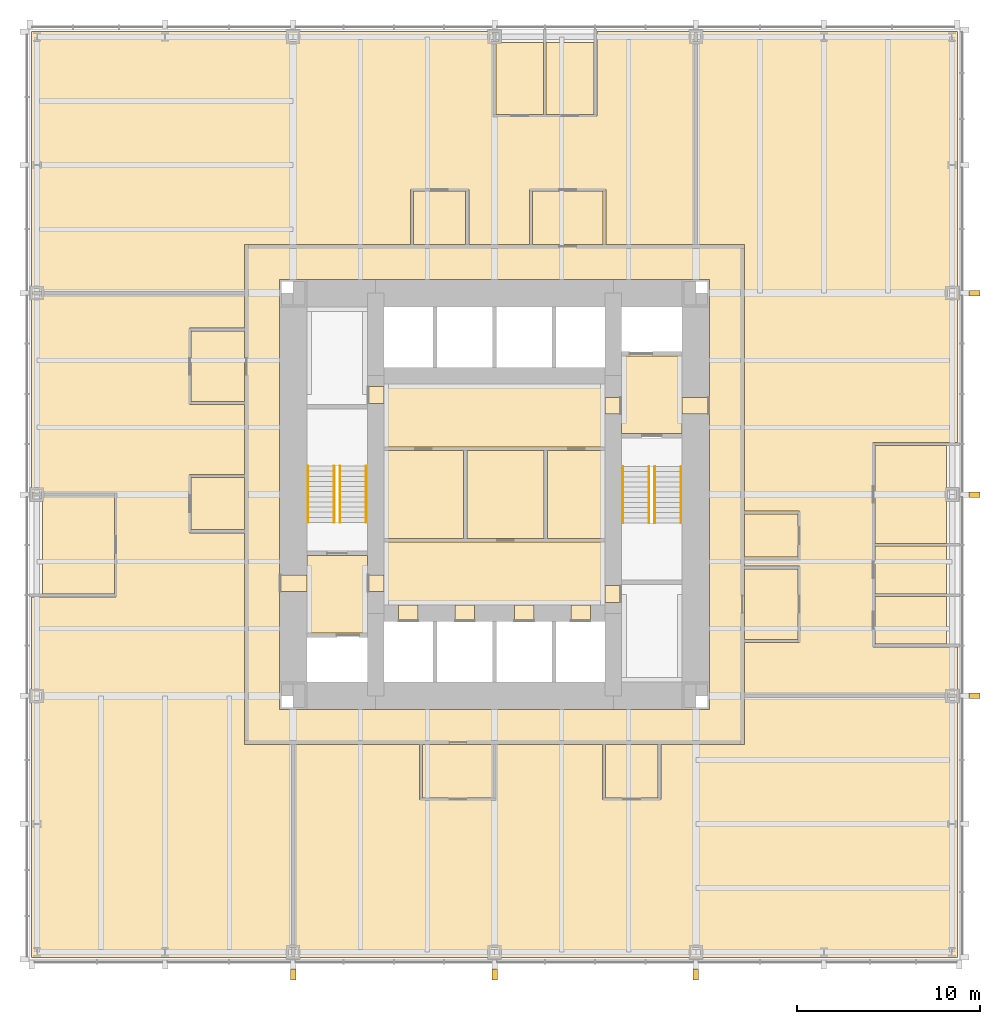
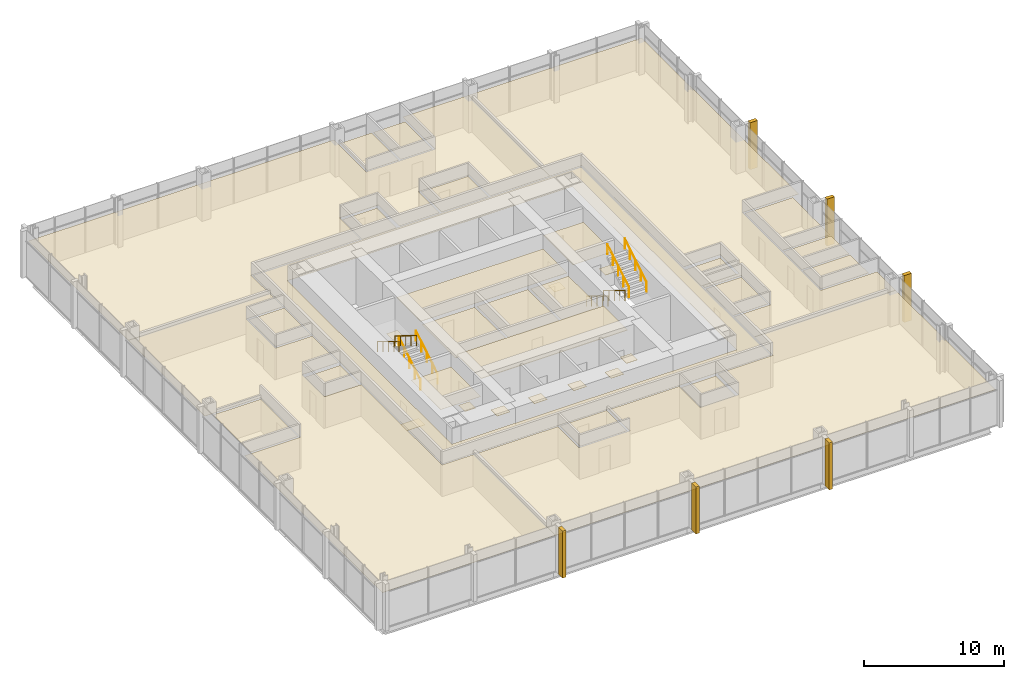
# One storey, part 12 of 12: 42 coverings, 8 railings.
"""IFC4 building model written with IfcOpenShell, lengths in metres."""

import ifcopenshell
import ifcopenshell.guid

model = None  # the IFC model being written
_history = None  # IfcOwnerHistory: only IFC2X3 demands one
_inside = {}  # id of a spatial element -> (the spatial element, [elements in it])
_under = {}  # id of a project, library or spatial element -> (it, [spatial elements below it])
_declared = {}  # id of a project -> (the project, [libraries it declares])
_typed = {}  # id of a type object -> (the type object, [elements of that type])
_made_of = {}  # id of a material, layer set ... -> (it, [elements and type objects made of it])


def new_model(schema):
    """Start an empty IFC model of exactly this schema.

    Asked for "IFC4X3", IfcOpenShell would pick the latest addendum, in which some entities
    have other attributes; the version numbers below select the first issue.
    IFC2X3 requires an IfcOwnerHistory on every rooted entity: one is made here for all.
    """
    global model, _history
    if schema == "IFC4X3":
        model = ifcopenshell.file(schema_version=(4, 3, 0, 0))
    else:
        model = ifcopenshell.file(schema=schema)
    _inside.clear()
    _under.clear()
    _declared.clear()
    _typed.clear()
    _made_of.clear()
    _history = None
    if model.schema == "IFC2X3":
        org = make("IfcOrganization", Name="unknown")
        user = make(
            "IfcPersonAndOrganization",
            ThePerson=make("IfcPerson", FamilyName="unknown"),
            TheOrganization=org,
        )
        app = make(
            "IfcApplication",
            ApplicationDeveloper=org,
            Version="unknown",
            ApplicationFullName="unknown",
            ApplicationIdentifier="unknown",
        )
        _history = make(
            "IfcOwnerHistory",
            OwningUser=user,
            OwningApplication=app,
            ChangeAction="ADDED",
            CreationDate=0,
        )
    return model


def make(cls, **values):
    """One entity of the class cls with the attributes given. An attribute that is None is left unset."""
    return model.create_entity(
        cls, **{name: value for name, value in values.items() if value is not None}
    )


def rooted(cls, **values):
    """An entity with a GlobalId (a new one), such as an element, a storey or a relation."""
    return make(cls, GlobalId=ifcopenshell.guid.new(), OwnerHistory=_history, **values)


def si_unit(unit_type, name, prefix=None):
    """IfcSIUnit, for example si_unit("LENGTHUNIT", "METRE", prefix="MILLI")."""
    return make("IfcSIUnit", UnitType=unit_type, Prefix=prefix, Name=name)


def assignment(units):
    """IfcUnitAssignment: the units of a project."""
    return None if units is None else make("IfcUnitAssignment", Units=units)


def point(xyz):
    """IfcCartesianPoint."""
    return None if xyz is None else make("IfcCartesianPoint", Coordinates=xyz)


def direction(xyz):
    """IfcDirection."""
    return None if xyz is None else make("IfcDirection", DirectionRatios=xyz)


def frame(location, z_axis=None, x_axis=None):
    """IfcAxis2Placement3D, a coordinate frame: its origin and axes. An axis left out is left unset."""
    return make(
        "IfcAxis2Placement3D",
        Location=point(location),
        Axis=direction(z_axis),
        RefDirection=direction(x_axis),
    )


def frame_2d(location, x_axis=None):
    """IfcAxis2Placement2D, a coordinate frame in the plane: its origin and x axis."""
    return make(
        "IfcAxis2Placement2D", Location=point(location), RefDirection=direction(x_axis)
    )


def origin():
    """The frame at (0, 0, 0) with its axes left unset."""
    return frame((0.0, 0.0, 0.0))


def origin_2d():
    """The frame at (0, 0) in the plane with its x axis left unset."""
    return frame_2d((0.0, 0.0))


def place(relative_to, where):
    """IfcLocalPlacement: puts the frame where relative to a parent placement (None: the world)."""
    return make(
        "IfcLocalPlacement", PlacementRelTo=relative_to, RelativePlacement=where
    )


def context(
    kind, dimensions, precision=None, world=None, true_north=None, identifier=None
):
    """IfcGeometricRepresentationContext, for example the 3D "Model" context."""
    return make(
        "IfcGeometricRepresentationContext",
        ContextIdentifier=identifier,
        ContextType=kind,
        CoordinateSpaceDimension=dimensions,
        Precision=precision,
        WorldCoordinateSystem=world,
        TrueNorth=true_north,
    )


def subcontext(parent, identifier, kind, view, scale=None):
    """IfcGeometricRepresentationSubContext, for example "Body" below "Model"."""
    return make(
        "IfcGeometricRepresentationSubContext",
        ContextIdentifier=identifier,
        ContextType=kind,
        ParentContext=parent,
        TargetScale=scale,
        TargetView=view,
    )


def project(units=None, contexts=None):
    """IfcProject with its units and contexts."""
    return rooted(
        "IfcProject",
        Name="project",
        RepresentationContexts=contexts,
        UnitsInContext=assignment(units),
    )


def spatial(cls, under=None, at=None, **own):
    """A site, building, storey or space (cls), placed at a placement, below another one or the project."""
    s = rooted(cls, ObjectPlacement=at, **own)
    if under is not None:
        _under.setdefault(under.id(), (under, []))[1].append(s)
    return s


def polyline(points):
    """IfcPolyline through the points."""
    return make("IfcPolyline", Points=[point(p) for p in points])


def profile(cls, at=None, kind="AREA", **sizes):
    """A parametric profile (cls). Its sizes go by their IFC names, for example OverallWidth=200.0."""
    return make(cls, ProfileType=kind, Position=at, **sizes)


def rectangle(**sizes):
    """IfcRectangleProfileDef."""
    return profile("IfcRectangleProfileDef", **sizes)


def circle(**sizes):
    """IfcCircleProfileDef."""
    return profile("IfcCircleProfileDef", **sizes)


def outline(outer, holes=None, kind="AREA"):
    """IfcArbitraryClosedProfileDef: a profile drawn as a closed curve; with holes, ...WithVoids."""
    if holes is None:
        return make("IfcArbitraryClosedProfileDef", ProfileType=kind, OuterCurve=outer)
    return make(
        "IfcArbitraryProfileDefWithVoids",
        ProfileType=kind,
        OuterCurve=outer,
        InnerCurves=holes,
    )


def extrude(swept, where, along, depth):
    """IfcExtrudedAreaSolid: the profile swept, set in the frame where, extruded along a direction by depth."""
    return make(
        "IfcExtrudedAreaSolid",
        SweptArea=swept,
        Position=where,
        ExtrudedDirection=direction(along),
        Depth=depth,
    )


def shape(context_of_items, identifier, shape_type, items):
    """IfcShapeRepresentation: the items that make up one representation, for example the "Body"."""
    return make(
        "IfcShapeRepresentation",
        ContextOfItems=context_of_items,
        RepresentationIdentifier=identifier,
        RepresentationType=shape_type,
        Items=items,
    )


def material(Name=None, Category=None):
    """IfcMaterial."""
    return make("IfcMaterial", Name=Name, Category=Category)


def layer(
    of_material, thickness, ventilated=None, Name=None, Category=None, Priority=None
):
    """IfcMaterialLayer: one layer of a wall or slab, of a material (None: an air gap)."""
    return make(
        "IfcMaterialLayer",
        Material=of_material,
        LayerThickness=thickness,
        IsVentilated=ventilated,
        Name=Name,
        Category=Category,
        Priority=Priority,
    )


def layer_set(layers, Name=None):
    """IfcMaterialLayerSet."""
    return make("IfcMaterialLayerSet", MaterialLayers=layers, LayerSetName=Name)


def made_of(thing, what):
    """Note that an element or type object is made of a material, layer set ...; save() writes the relation."""
    if what is not None:
        _made_of.setdefault(what.id(), (what, []))[1].append(thing)
    return thing


def type_object(cls, material=None, **own):
    """A type object (cls), such as IfcWallType, which elements share."""
    return made_of(rooted(cls, **own), material)


def element(
    cls,
    number,
    at=None,
    inside=None,
    cuts=None,
    type_object=None,
    material=None,
    context=None,
    identifier="Body",
    shape_type=None,
    held_by="IfcProductDefinitionShape",
    body=None,
    shapes=None,
    **own,
):
    """One element of the class cls, such as IfcWall. Its Tag is "e" and its number.

    at: its placement. inside: the storey or other place that contains it. cuts: it is an
    opening in that element (IfcRelVoidsElement). A single representation is given by context,
    identifier, shape_type and body (its items); several are given by shapes. held_by: the class
    of the entity that holds the representations. save() writes the other relations.
    """
    e = rooted(cls, Tag="e%d" % number, ObjectPlacement=at, **own)
    if body is not None:
        shapes = [shape(context, identifier, shape_type, body)]
    if shapes is not None:
        e.Representation = make(held_by, Representations=shapes)
    if inside is not None:
        _inside.setdefault(inside.id(), (inside, []))[1].append(e)
    if cuts is not None:
        rooted(
            "IfcRelVoidsElement", RelatingBuildingElement=cuts, RelatedOpeningElement=e
        )
    if type_object is not None:
        _typed.setdefault(type_object.id(), (type_object, []))[1].append(e)
    return made_of(e, material)


def aggregate(whole, parts):
    """IfcRelAggregates: a whole, such as a stair, and the parts it consists of."""
    return rooted("IfcRelAggregates", RelatingObject=whole, RelatedObjects=parts)


def save(model, path):
    """Write the relations noted so far, then the file.

    IfcRelAggregates (storeys below a building ...), IfcRelContainedInSpatialStructure (elements
    in a storey), IfcRelDefinesByType, IfcRelAssociatesMaterial and IfcRelDeclares: one each for
    every whole, place, type object, material and project.
    """
    for whole, parts in _under.values():
        aggregate(whole, parts)
    for where, things in _inside.values():
        rooted(
            "IfcRelContainedInSpatialStructure",
            RelatedElements=things,
            RelatingStructure=where,
        )
    for kind, things in _typed.values():
        rooted("IfcRelDefinesByType", RelatedObjects=things, RelatingType=kind)
    for what, things in _made_of.values():
        rooted("IfcRelAssociatesMaterial", RelatedObjects=things, RelatingMaterial=what)
    for by, libraries in _declared.values():
        rooted("IfcRelDeclares", RelatingContext=by, RelatedDefinitions=libraries)
    model.write(path)


model = new_model("IFC4")

# Units and contexts
model_context = context("Model", 3, precision=1e-05, world=origin(), true_north=direction((0.0, 1.0)))
body_context = subcontext(model_context, "Body", "Model", "MODEL_VIEW")
ifc_project = project(units=[si_unit("LENGTHUNIT", "METRE"), si_unit("AREAUNIT", "SQUARE_METRE"), si_unit("VOLUMEUNIT", "CUBIC_METRE"), si_unit("PLANEANGLEUNIT", "RADIAN"), si_unit("MASSUNIT", "GRAM", prefix="KILO")], contexts=[model_context])

# Site, building, storey
site_placement = place(None, origin())
site = spatial("IfcSite", under=ifc_project, at=site_placement, CompositionType="ELEMENT")
building_placement = place(site_placement, origin())
building = spatial("IfcBuilding", under=site, at=building_placement, Name="Trevanion Tower", CompositionType="ELEMENT")
storey_placement = place(building_placement, frame((0.0, 0.0, 24.199951171875)))
storey = spatial("IfcBuildingStorey", under=building, at=storey_placement, Name="L05", CompositionType="ELEMENT", Elevation=24.199951171875)

# Coverings
ifc_material_1 = material(Name="Fibrous plaster coffers on suspended steel grid", Category="steel")
ifc_layer_1 = layer(ifc_material_1, 0.050048828125)
ifc_layer_set_1 = layer_set([ifc_layer_1], Name="CL1 coffered fibrous plaster ceiling 50")
covering_type_1 = type_object("IfcCoveringType", Name="CL1 coffered fibrous plaster ceiling 50", PredefinedType="CEILING", material=ifc_layer_set_1)
covering_1_placement = place(storey_placement, frame((0.0, 0.0, 3.0)))
element("IfcCovering", 1, at=covering_1_placement, inside=storey, type_object=covering_type_1, Name="CL1 L05-LBS", PredefinedType="CEILING", context=body_context, shape_type="SweptSolid", body=[
    extrude(outline(polyline([(6.050048828125, -6.050048828125), (6.050048828125, -2.60009765625), (-6.050048828125, -2.60009765625), (-6.050048828125, -6.050048828125), (6.050048828125, -6.050048828125)])), origin(), (0.0, 0.0, 1.0), 0.050048828125),
])
ifc_material_2 = material(Name="Mineral fibre acoustic tiles in exposed grid", Category="mineral fibre")
ifc_layer_2 = layer(ifc_material_2, 0.02001953125)
ifc_layer_set_2 = layer_set([ifc_layer_2], Name="CL2 acoustic tile ceiling 20")
covering_type_2 = type_object("IfcCoveringType", Name="CL2 acoustic tile ceiling 20", PredefinedType="CEILING", material=ifc_layer_set_2)
covering_2_placement = place(storey_placement, frame((0.0, 0.0, 2.75)))
element("IfcCovering", 2, at=covering_2_placement, inside=storey, type_object=covering_type_2, Name="CL2 L05-LBN", PredefinedType="CEILING", context=body_context, shape_type="SweptSolid", body=[
    extrude(outline(polyline([(6.050048828125, 2.60009765625), (6.050048828125, 6.050048828125), (-6.050048828125, 6.050048828125), (-6.050048828125, 2.60009765625), (6.050048828125, 2.60009765625)])), origin(), (0.0, 0.0, 1.0), 0.02001953125),
])
covering_3_placement = place(storey_placement, frame((0.0, 0.0, 2.75)))
element("IfcCovering", 3, at=covering_3_placement, inside=storey, type_object=covering_type_2, Name="CL2 L05-CO", PredefinedType="CEILING", context=body_context, shape_type="SweptSolid", body=[
    extrude(outline(polyline([(-13.550048828125, 13.550048828125), (13.550048828125, 13.550048828125), (13.550048828125, -13.550048828125), (-13.550048828125, -13.550048828125), (-13.550048828125, 13.550048828125)]), holes=[polyline([(-11.75, 11.75), (-11.75, -11.75), (11.75, -11.75), (11.75, 11.75), (-11.75, 11.75)])]), origin(), (0.0, 0.0, 1.0), 0.02001953125),
])
covering_4_placement = place(storey_placement, frame((0.0, 0.0, 2.75)))
element("IfcCovering", 4, at=covering_4_placement, inside=storey, type_object=covering_type_2, Name="CL2 L05-OF", PredefinedType="CEILING", context=body_context, shape_type="SweptSolid", body=[
    extrude(outline(polyline([(20.77490234375, -8.175048828125), (20.77490234375, -5.574951171875), (24.699951171875, -5.574951171875), (24.699951171875, -8.175048828125), (20.77490234375, -8.175048828125)])), origin(), (0.0, 0.0, 1.0), 0.02001953125),
])
covering_5_placement = place(storey_placement, frame((0.0, 0.0, 2.75)))
element("IfcCovering", 5, at=covering_5_placement, inside=storey, type_object=covering_type_2, Name="CL2 L05-OF2", PredefinedType="CEILING", context=body_context, shape_type="SweptSolid", body=[
    extrude(outline(polyline([(20.77490234375, -5.425048828125), (20.77490234375, -2.824951171875), (24.699951171875, -2.824951171875), (24.699951171875, -5.425048828125), (20.77490234375, -5.425048828125)])), origin(), (0.0, 0.0, 1.0), 0.02001953125),
])
covering_6_placement = place(storey_placement, frame((0.0, 0.0, 2.75)))
element("IfcCovering", 6, at=covering_6_placement, inside=storey, type_object=covering_type_2, Name="CL2 L05-MR", PredefinedType="CEILING", context=body_context, shape_type="SweptSolid", body=[
    extrude(outline(polyline([(20.77490234375, -2.675048828125), (20.77490234375, 2.675048828125), (24.699951171875, 2.675048828125), (24.699951171875, -2.675048828125), (20.77490234375, -2.675048828125)])), origin(), (0.0, 0.0, 1.0), 0.02001953125),
])
covering_7_placement = place(storey_placement, frame((0.0, 0.0, 2.75)))
element("IfcCovering", 7, at=covering_7_placement, inside=storey, type_object=covering_type_2, Name="CL2 L05-OF3", PredefinedType="CEILING", context=body_context, shape_type="SweptSolid", body=[
    extrude(outline(polyline([(5.425048828125, 20.77490234375), (2.824951171875, 20.77490234375), (2.824951171875, 24.699951171875), (5.425048828125, 24.699951171875), (5.425048828125, 20.77490234375)])), origin(), (0.0, 0.0, 1.0), 0.02001953125),
])
covering_8_placement = place(storey_placement, frame((0.0, 0.0, 2.75)))
element("IfcCovering", 8, at=covering_8_placement, inside=storey, type_object=covering_type_2, Name="CL2 L05-OF4", PredefinedType="CEILING", context=body_context, shape_type="SweptSolid", body=[
    extrude(outline(polyline([(2.675048828125, 20.77490234375), (0.074951171875, 20.77490234375), (0.074951171875, 24.699951171875), (2.675048828125, 24.699951171875), (2.675048828125, 20.77490234375)])), origin(), (0.0, 0.0, 1.0), 0.02001953125),
])
covering_9_placement = place(storey_placement, frame((0.0, 0.0, 2.75)))
element("IfcCovering", 9, at=covering_9_placement, inside=storey, type_object=covering_type_2, Name="CL2 L05-MR2", PredefinedType="CEILING", context=body_context, shape_type="SweptSolid", body=[
    extrude(outline(polyline([(-20.77490234375, -0.074951171875), (-20.77490234375, -5.425048828125), (-24.699951171875, -5.425048828125), (-24.699951171875, -0.074951171875), (-20.77490234375, -0.074951171875)])), origin(), (0.0, 0.0, 1.0), 0.02001953125),
])
covering_10_placement = place(storey_placement, frame((0.0, 0.0, 2.75)))
element("IfcCovering", 10, at=covering_10_placement, inside=storey, type_object=covering_type_2, Name="CL2 L05-RC", PredefinedType="CEILING", context=body_context, shape_type="SweptSolid", body=[
    extrude(outline(polyline([(13.64990234375, -7.925048828125), (13.64990234375, -4.074951171875), (16.574951171875, -4.074951171875), (16.574951171875, -7.925048828125), (13.64990234375, -7.925048828125)])), origin(), (0.0, 0.0, 1.0), 0.02001953125),
])
covering_11_placement = place(storey_placement, frame((0.0, 0.0, 2.75)))
element("IfcCovering", 11, at=covering_11_placement, inside=storey, type_object=covering_type_2, Name="CL2 L05-RC2", PredefinedType="CEILING", context=body_context, shape_type="SweptSolid", body=[
    extrude(outline(polyline([(5.925048828125, 13.64990234375), (2.074951171875, 13.64990234375), (2.074951171875, 16.574951171875), (5.925048828125, 16.574951171875), (5.925048828125, 13.64990234375)])), origin(), (0.0, 0.0, 1.0), 0.02001953125),
])
covering_12_placement = place(storey_placement, frame((0.0, 0.0, 2.75)))
element("IfcCovering", 12, at=covering_12_placement, inside=storey, type_object=covering_type_2, Name="CL2 L05-RC3", PredefinedType="CEILING", context=body_context, shape_type="SweptSolid", body=[
    extrude(outline(polyline([(-13.64990234375, 8.925048828125), (-13.64990234375, 5.074951171875), (-16.574951171875, 5.074951171875), (-16.574951171875, 8.925048828125), (-13.64990234375, 8.925048828125)])), origin(), (0.0, 0.0, 1.0), 0.02001953125),
])
covering_13_placement = place(storey_placement, frame((0.0, 0.0, 2.75)))
element("IfcCovering", 13, at=covering_13_placement, inside=storey, type_object=covering_type_2, Name="CL2 L05-RC4", PredefinedType="CEILING", context=body_context, shape_type="SweptSolid", body=[
    extrude(outline(polyline([(-3.925048828125, -13.64990234375), (-0.074951171875, -13.64990234375), (-0.074951171875, -16.574951171875), (-3.925048828125, -16.574951171875), (-3.925048828125, -13.64990234375)])), origin(), (0.0, 0.0, 1.0), 0.02001953125),
])
covering_14_placement = place(storey_placement, frame((0.0, 0.0, 2.75)))
element("IfcCovering", 14, at=covering_14_placement, inside=storey, type_object=covering_type_2, Name="CL2 L05-OP", PredefinedType="CEILING", context=body_context, shape_type="SweptSolid", body=[
    extrude(outline(polyline([(13.64990234375, -8.094970703125), (16.669921875, -8.094970703125), (16.669921875, -3.905029296875), (13.64990234375, -3.905029296875), (13.64990234375, -3.594970703125), (16.669921875, -3.594970703125), (16.669921875, -0.905029296875), (13.64990234375, -0.905029296875), (13.64990234375, 13.64990234375), (11.0, 13.64990234375), (11.0, 25.300048828125), (25.300048828125, 25.300048828125), (25.300048828125, 2.844970703125), (20.679931640625, 2.844970703125), (20.679931640625, -8.344970703125), (25.300048828125, -8.344970703125), (25.300048828125, -11.0), (13.64990234375, -11.0), (13.64990234375, -8.094970703125)])), origin(), (0.0, 0.0, 1.0), 0.02001953125),
])
covering_15_placement = place(storey_placement, frame((0.0, 0.0, 2.75)))
element("IfcCovering", 15, at=covering_15_placement, inside=storey, type_object=covering_type_2, Name="CL2 L05-OP2", PredefinedType="CEILING", context=body_context, shape_type="SweptSolid", body=[
    extrude(outline(polyline([(6.094970703125, 13.64990234375), (6.094970703125, 16.669921875), (1.905029296875, 16.669921875), (1.905029296875, 13.64990234375), (-1.405029296875, 13.64990234375), (-1.405029296875, 16.669921875), (-4.594970703125, 16.669921875), (-4.594970703125, 13.64990234375), (-13.64990234375, 13.64990234375), (-13.64990234375, 11.0), (-25.300048828125, 11.0), (-25.300048828125, 25.300048828125), (-0.094970703125, 25.300048828125), (-0.094970703125, 20.679931640625), (5.594970703125, 20.679931640625), (5.594970703125, 25.300048828125), (11.0, 25.300048828125), (11.0, 13.64990234375), (6.094970703125, 13.64990234375)])), origin(), (0.0, 0.0, 1.0), 0.02001953125),
])
covering_16_placement = place(storey_placement, frame((0.0, 0.0, 2.75)))
element("IfcCovering", 16, at=covering_16_placement, inside=storey, type_object=covering_type_2, Name="CL2 L05-OP3", PredefinedType="CEILING", context=body_context, shape_type="SweptSolid", body=[
    extrude(outline(polyline([(-13.64990234375, 9.094970703125), (-16.669921875, 9.094970703125), (-16.669921875, 4.905029296875), (-13.64990234375, 4.905029296875), (-13.64990234375, 1.094970703125), (-16.669921875, 1.094970703125), (-16.669921875, -2.094970703125), (-13.64990234375, -2.094970703125), (-13.64990234375, -13.64990234375), (-11.0, -13.64990234375), (-11.0, -25.300048828125), (-25.300048828125, -25.300048828125), (-25.300048828125, -5.594970703125), (-20.679931640625, -5.594970703125), (-20.679931640625, 0.094970703125), (-25.300048828125, 0.094970703125), (-25.300048828125, 11.0), (-13.64990234375, 11.0), (-13.64990234375, 9.094970703125)])), origin(), (0.0, 0.0, 1.0), 0.02001953125),
])
covering_17_placement = place(storey_placement, frame((0.0, 0.0, 2.75)))
element("IfcCovering", 17, at=covering_17_placement, inside=storey, type_object=covering_type_2, Name="CL2 L05-OP4", PredefinedType="CEILING", context=body_context, shape_type="SweptSolid", body=[
    extrude(outline(polyline([(-4.094970703125, -13.64990234375), (-4.094970703125, -16.669921875), (0.094970703125, -16.669921875), (0.094970703125, -13.64990234375), (5.905029296875, -13.64990234375), (5.905029296875, -16.669921875), (9.094970703125, -16.669921875), (9.094970703125, -13.64990234375), (13.64990234375, -13.64990234375), (13.64990234375, -11.0), (25.300048828125, -11.0), (25.300048828125, -25.300048828125), (-11.0, -25.300048828125), (-11.0, -13.64990234375), (-4.094970703125, -13.64990234375)])), origin(), (0.0, 0.0, 1.0), 0.02001953125),
])
ifc_material_3 = material(Name="Gypsum plasterboard on suspended metal furring", Category="gypsum")
ifc_layer_3 = layer(ifc_material_3, 0.012939453125)
ifc_layer_set_3 = layer_set([ifc_layer_3], Name="CL3 plasterboard ceiling 13")
covering_type_3 = type_object("IfcCoveringType", Name="CL3 plasterboard ceiling 13", PredefinedType="CEILING", material=ifc_layer_set_3)
covering_18_placement = place(storey_placement, frame((0.0, 0.0, 2.699951171875)))
element("IfcCovering", 18, at=covering_18_placement, inside=storey, type_object=covering_type_3, Name="CL3 L05-FV1", PredefinedType="CEILING", context=body_context, shape_type="SweptSolid", body=[
    extrude(outline(polyline([(10.25, 3.324951171875), (10.25, 7.574951171875), (6.949951171875, 7.574951171875), (6.949951171875, 3.324951171875), (10.25, 3.324951171875)])), origin(), (0.0, 0.0, 1.0), 0.01318359375),
])
covering_19_placement = place(storey_placement, frame((0.0, 0.0, 2.699951171875)))
element("IfcCovering", 19, at=covering_19_placement, inside=storey, type_object=covering_type_3, Name="CL3 L05-FV2", PredefinedType="CEILING", context=body_context, shape_type="SweptSolid", body=[
    extrude(outline(polyline([(-10.25, -3.324951171875), (-10.25, -7.574951171875), (-6.949951171875, -7.574951171875), (-6.949951171875, -3.324951171875), (-10.25, -3.324951171875)])), origin(), (0.0, 0.0, 1.0), 0.01318359375),
])
ifc_material_4 = material(Name="Moisture-resistant gypsum board on suspended metal furring", Category="gypsum")
ifc_layer_4 = layer(ifc_material_4, 0.01611328125)
ifc_layer_set_4 = layer_set([ifc_layer_4], Name="CL4 moisture-resistant board ceiling 16")
covering_type_4 = type_object("IfcCoveringType", Name="CL4 moisture-resistant board ceiling 16", PredefinedType="CEILING", material=ifc_layer_set_4)
covering_20_placement = place(storey_placement, frame((0.0, 0.0, 2.60009765625)))
element("IfcCovering", 20, at=covering_20_placement, inside=storey, type_object=covering_type_4, Name="CL4 L05-WCF", PredefinedType="CEILING", context=body_context, shape_type="SweptSolid", body=[
    extrude(outline(polyline([(-1.699951171875, -2.39990234375), (-1.699951171875, 2.39990234375), (-6.050048828125, 2.39990234375), (-6.050048828125, -2.39990234375), (-1.699951171875, -2.39990234375)])), origin(), (0.0, 0.0, 1.0), 0.015869140625),
])
covering_21_placement = place(storey_placement, frame((0.0, 0.0, 2.60009765625)))
element("IfcCovering", 21, at=covering_21_placement, inside=storey, type_object=covering_type_4, Name="CL4 L05-WCM", PredefinedType="CEILING", context=body_context, shape_type="SweptSolid", body=[
    extrude(outline(polyline([(2.699951171875, -2.39990234375), (2.699951171875, 2.39990234375), (-1.5, 2.39990234375), (-1.5, -2.39990234375), (2.699951171875, -2.39990234375)])), origin(), (0.0, 0.0, 1.0), 0.015869140625),
])
covering_22_placement = place(storey_placement, frame((0.0, 0.0, 2.60009765625)))
element("IfcCovering", 22, at=covering_22_placement, inside=storey, type_object=covering_type_4, Name="CL4 L05-WCA", PredefinedType="CEILING", context=body_context, shape_type="SweptSolid", body=[
    extrude(outline(polyline([(6.050048828125, -2.39990234375), (6.050048828125, 2.39990234375), (2.89990234375, 2.39990234375), (2.89990234375, -2.39990234375), (6.050048828125, -2.39990234375)])), origin(), (0.0, 0.0, 1.0), 0.015869140625),
])
covering_23_placement = place(storey_placement, frame((0.0, 0.0, 2.60009765625)))
element("IfcCovering", 23, at=covering_23_placement, inside=storey, type_object=covering_type_4, Name="CL4 L05-PA", PredefinedType="CEILING", context=body_context, shape_type="SweptSolid", body=[
    extrude(outline(polyline([(13.64990234375, -3.425048828125), (13.64990234375, -1.074951171875), (16.574951171875, -1.074951171875), (16.574951171875, -3.425048828125), (13.64990234375, -3.425048828125)])), origin(), (0.0, 0.0, 1.0), 0.015869140625),
])
covering_24_placement = place(storey_placement, frame((0.0, 0.0, 2.60009765625)))
element("IfcCovering", 24, at=covering_24_placement, inside=storey, type_object=covering_type_4, Name="CL4 L05-PA2", PredefinedType="CEILING", context=body_context, shape_type="SweptSolid", body=[
    extrude(outline(polyline([(-1.574951171875, 13.64990234375), (-4.425048828125, 13.64990234375), (-4.425048828125, 16.574951171875), (-1.574951171875, 16.574951171875), (-1.574951171875, 13.64990234375)])), origin(), (0.0, 0.0, 1.0), 0.015869140625),
])
covering_25_placement = place(storey_placement, frame((0.0, 0.0, 2.60009765625)))
element("IfcCovering", 25, at=covering_25_placement, inside=storey, type_object=covering_type_4, Name="CL4 L05-PA3", PredefinedType="CEILING", context=body_context, shape_type="SweptSolid", body=[
    extrude(outline(polyline([(-13.64990234375, 0.925048828125), (-13.64990234375, -1.925048828125), (-16.574951171875, -1.925048828125), (-16.574951171875, 0.925048828125), (-13.64990234375, 0.925048828125)])), origin(), (0.0, 0.0, 1.0), 0.015869140625),
])
covering_26_placement = place(storey_placement, frame((0.0, 0.0, 2.60009765625)))
element("IfcCovering", 26, at=covering_26_placement, inside=storey, type_object=covering_type_4, Name="CL4 L05-PA4", PredefinedType="CEILING", context=body_context, shape_type="SweptSolid", body=[
    extrude(outline(polyline([(6.074951171875, -13.64990234375), (8.925048828125, -13.64990234375), (8.925048828125, -16.574951171875), (6.074951171875, -16.574951171875), (6.074951171875, -13.64990234375)])), origin(), (0.0, 0.0, 1.0), 0.015869140625),
])
ifc_material_5 = material(Name="Cast bronze fin on aluminium carrier", Category="aluminium")
covering_type_5 = type_object("IfcCoveringType", Name="F1 bronze fin", PredefinedType="CLADDING", material=ifc_material_5)
for number, where, z_axis, x_axis, name in (
    (27, (26.22509765625, -11.0, -0.18994140625), (0.0, 0.0, 1.0), (0.0, 1.0, 0.0), "F1 L05 east -11.0"),
    (28, (26.22509765625, 0.0, -0.18994140625), (0.0, 0.0, 1.0), (0.0, 1.0, 0.0), "F1 L05 east +0.0"),
    (29, (26.22509765625, 11.0, -0.18994140625), (0.0, 0.0, 1.0), (0.0, 1.0, 0.0), "F1 L05 east +11.0"),
    (30, (-11.0, -26.22509765625, -0.18994140625), (0.0, 0.0, 1.0), (1.0, 0.0, 0.0), "F1 L05 south -11.0"),
    (31, (0.0, -26.22509765625, -0.18994140625), (0.0, 0.0, 1.0), (1.0, 0.0, 0.0), "F1 L05 south +0.0"),
    (32, (11.0, -26.22509765625, -0.18994140625), (0.0, 0.0, 1.0), (1.0, 0.0, 0.0), "F1 L05 south +11.0"),
):
    element("IfcCovering", number, at=place(storey_placement, frame(where, z_axis=z_axis, x_axis=x_axis)), inside=storey, type_object=covering_type_5, Name=name, PredefinedType="CLADDING", context=body_context, shape_type="SweptSolid", body=[
        extrude(rectangle(XDim=0.300048828125, YDim=0.60009765625, at=origin_2d()), origin(), (0.0, 0.0, 1.0), 4.10009765625),
    ])
ifc_material_6 = material(Name="Terrazzo, brass divider strips", Category="stone")
ifc_layer_5 = layer(ifc_material_6, 0.02001953125)
ifc_layer_set_5 = layer_set([ifc_layer_5], Name="FF1 terrazzo flooring")
covering_type_6 = type_object("IfcCoveringType", Name="FF1 terrazzo flooring", PredefinedType="FLOORING", material=ifc_layer_set_5)
covering_27_placement = place(storey_placement, origin())
element("IfcCovering", 33, at=covering_27_placement, inside=storey, type_object=covering_type_6, Name="FF1 threshold 05-001", PredefinedType="FLOORING", context=body_context, shape_type="SweptSolid", body=[
    extrude(outline(polyline([(11.75, 4.392578125), (11.75, 5.3076171875), (10.25, 5.3076171875), (10.25, 4.392578125), (11.75, 4.392578125)])), origin(), (0.0, 0.0, 1.0), 0.02001953125),
])
covering_28_placement = place(storey_placement, origin())
element("IfcCovering", 34, at=covering_28_placement, inside=storey, type_object=covering_type_6, Name="FF1 threshold 05-002", PredefinedType="FLOORING", context=body_context, shape_type="SweptSolid", body=[
    extrude(outline(polyline([(-11.75, -4.392578125), (-11.75, -5.3076171875), (-10.25, -5.3076171875), (-10.25, -4.392578125), (-11.75, -4.392578125)])), origin(), (0.0, 0.0, 1.0), 0.02001953125),
])
covering_29_placement = place(storey_placement, origin())
element("IfcCovering", 35, at=covering_29_placement, inside=storey, type_object=covering_type_6, Name="FF1 threshold 05-003", PredefinedType="FLOORING", context=body_context, shape_type="SweptSolid", body=[
    extrude(outline(polyline([(6.949951171875, 4.392578125), (6.949951171875, 5.3076171875), (6.050048828125, 5.3076171875), (6.050048828125, 4.392578125), (6.949951171875, 4.392578125)])), origin(), (0.0, 0.0, 1.0), 0.02001953125),
])
covering_30_placement = place(storey_placement, origin())
element("IfcCovering", 36, at=covering_30_placement, inside=storey, type_object=covering_type_6, Name="FF1 threshold 05-004", PredefinedType="FLOORING", context=body_context, shape_type="SweptSolid", body=[
    extrude(outline(polyline([(-6.949951171875, -4.392578125), (-6.949951171875, -5.3076171875), (-6.050048828125, -5.3076171875), (-6.050048828125, -4.392578125), (-6.949951171875, -4.392578125)])), origin(), (0.0, 0.0, 1.0), 0.02001953125),
])
covering_31_placement = place(storey_placement, origin())
element("IfcCovering", 37, at=covering_31_placement, inside=storey, type_object=covering_type_6, Name="FF1 threshold 05-009", PredefinedType="FLOORING", context=body_context, shape_type="SweptSolid", body=[
    extrude(outline(polyline([(6.949951171875, -5.889892578125), (6.949951171875, -4.97509765625), (6.050048828125, -4.97509765625), (6.050048828125, -5.889892578125), (6.949951171875, -5.889892578125)])), origin(), (0.0, 0.0, 1.0), 0.02001953125),
])
covering_32_placement = place(storey_placement, origin())
element("IfcCovering", 38, at=covering_32_placement, inside=storey, type_object=covering_type_6, Name="FF1 threshold 05-010", PredefinedType="FLOORING", context=body_context, shape_type="SweptSolid", body=[
    extrude(outline(polyline([(-6.949951171875, 5.889892578125), (-6.949951171875, 4.97509765625), (-6.050048828125, 4.97509765625), (-6.050048828125, 5.889892578125), (-6.949951171875, 5.889892578125)])), origin(), (0.0, 0.0, 1.0), 0.02001953125),
])
covering_33_placement = place(storey_placement, origin())
element("IfcCovering", 39, at=covering_33_placement, inside=storey, type_object=covering_type_6, Name="FF1 threshold 05-011", PredefinedType="FLOORING", context=body_context, shape_type="SweptSolid", body=[
    extrude(outline(polyline([(-5.2333984375, -6.949951171875), (-4.16650390625, -6.949951171875), (-4.16650390625, -6.050048828125), (-5.2333984375, -6.050048828125), (-5.2333984375, -6.949951171875)])), origin(), (0.0, 0.0, 1.0), 0.02001953125),
])
covering_34_placement = place(storey_placement, origin())
element("IfcCovering", 40, at=covering_34_placement, inside=storey, type_object=covering_type_6, Name="FF1 threshold 05-012", PredefinedType="FLOORING", context=body_context, shape_type="SweptSolid", body=[
    extrude(outline(polyline([(-2.158447265625, -6.949951171875), (-1.091552734375, -6.949951171875), (-1.091552734375, -6.050048828125), (-2.158447265625, -6.050048828125), (-2.158447265625, -6.949951171875)])), origin(), (0.0, 0.0, 1.0), 0.02001953125),
])
covering_35_placement = place(storey_placement, origin())
element("IfcCovering", 41, at=covering_35_placement, inside=storey, type_object=covering_type_6, Name="FF1 threshold 05-013", PredefinedType="FLOORING", context=body_context, shape_type="SweptSolid", body=[
    extrude(outline(polyline([(1.091552734375, -6.949951171875), (2.158447265625, -6.949951171875), (2.158447265625, -6.050048828125), (1.091552734375, -6.050048828125), (1.091552734375, -6.949951171875)])), origin(), (0.0, 0.0, 1.0), 0.02001953125),
])
covering_36_placement = place(storey_placement, origin())
element("IfcCovering", 42, at=covering_36_placement, inside=storey, type_object=covering_type_6, Name="FF1 threshold 05-014", PredefinedType="FLOORING", context=body_context, shape_type="SweptSolid", body=[
    extrude(outline(polyline([(4.16650390625, -6.949951171875), (5.2333984375, -6.949951171875), (5.2333984375, -6.050048828125), (4.16650390625, -6.050048828125), (4.16650390625, -6.949951171875)])), origin(), (0.0, 0.0, 1.0), 0.02001953125),
])

# Railings
ifc_material_7 = material(Name="Stainless steel tube 40 mm", Category="steel")
railing_type = type_object("IfcRailingType", Name="HR1 handrail", PredefinedType="HANDRAIL", material=ifc_material_7)
for number, where, name in (
    (43, (7.010009765625, 1.52490234375, 0.1708984375), "HR1 ST1 L05 flight 1"),
    (44, (8.43994140625, 1.52490234375, 0.1708984375), "HR1 ST1 L05 flight 1"),
):
    element("IfcRailing", number, at=place(storey_placement, frame(where)), inside=storey, type_object=railing_type, Name=name, PredefinedType="HANDRAIL", context=body_context, shape_type="SweptSolid", body=[
        extrude(circle(Radius=0.02001953125, at=origin_2d()), frame((0.0, 0.0, 0.8798828125), z_axis=(0.0, -0.853647949592, 0.520850437417), x_axis=(1.0, 0.0, 0.0)), (0.0, 0.0, 1.0), 3.60791015625),
        extrude(circle(Radius=0.01513671875, at=origin_2d()), origin(), (0.0, 0.0, 1.0), 0.85986328125),
        extrude(circle(Radius=0.01513671875, at=origin_2d()), frame((0.0, -0.77001953125, 0.4697265625)), (0.0, 0.0, 1.0), 0.85986328125),
        extrude(circle(Radius=0.01513671875, at=origin_2d()), frame((0.0, -1.5400390625, 0.939453125)), (0.0, 0.0, 1.0), 0.85986328125),
        extrude(circle(Radius=0.01513671875, at=origin_2d()), frame((0.0, -2.309814453125, 1.409423828125)), (0.0, 0.0, 1.0), 0.85986328125),
        extrude(circle(Radius=0.01513671875, at=origin_2d()), frame((0.0, -3.079833984375, 1.879150390625)), (0.0, 0.0, 1.0), 0.85986328125),
    ])
for number, where, name in (
    (45, (8.760009765625, -1.554931640625, 2.220947265625), "HR1 ST1 L05 flight 2"),
    (46, (10.18994140625, -1.554931640625, 2.220947265625), "HR1 ST1 L05 flight 2"),
    (47, (-7.010009765625, -1.52490234375, 0.1708984375), "HR1 ST2 L05 flight 1"),
    (48, (-8.43994140625, -1.52490234375, 0.1708984375), "HR1 ST2 L05 flight 1"),
):
    element("IfcRailing", number, at=place(storey_placement, frame(where)), inside=storey, type_object=railing_type, Name=name, PredefinedType="HANDRAIL", context=body_context, shape_type="SweptSolid", body=[
        extrude(circle(Radius=0.02001953125, at=origin_2d()), frame((0.0, 0.0, 0.8798828125), z_axis=(0.0, 0.853647949592, 0.520850437417), x_axis=(-1.0, 0.0, 0.0)), (0.0, 0.0, 1.0), 3.60791015625),
        extrude(circle(Radius=0.01513671875, at=origin_2d()), origin(), (0.0, 0.0, 1.0), 0.85986328125),
        extrude(circle(Radius=0.01513671875, at=origin_2d()), frame((0.0, 0.77001953125, 0.4697265625)), (0.0, 0.0, 1.0), 0.85986328125),
        extrude(circle(Radius=0.01513671875, at=origin_2d()), frame((0.0, 1.5400390625, 0.939453125)), (0.0, 0.0, 1.0), 0.85986328125),
        extrude(circle(Radius=0.01513671875, at=origin_2d()), frame((0.0, 2.309814453125, 1.409423828125)), (0.0, 0.0, 1.0), 0.85986328125),
        extrude(circle(Radius=0.01513671875, at=origin_2d()), frame((0.0, 3.079833984375, 1.879150390625)), (0.0, 0.0, 1.0), 0.85986328125),
    ])
for number, where, name in (
    (49, (-8.760009765625, 1.554931640625, 2.220947265625), "HR1 ST2 L05 flight 2"),
    (50, (-10.18994140625, 1.554931640625, 2.220947265625), "HR1 ST2 L05 flight 2"),
):
    element("IfcRailing", number, at=place(storey_placement, frame(where)), inside=storey, type_object=railing_type, Name=name, PredefinedType="HANDRAIL", context=body_context, shape_type="SweptSolid", body=[
        extrude(circle(Radius=0.02001953125, at=origin_2d()), frame((0.0, 0.0, 0.8798828125), z_axis=(0.0, -0.853647949592, 0.520850437417), x_axis=(1.0, 0.0, 0.0)), (0.0, 0.0, 1.0), 3.60791015625),
        extrude(circle(Radius=0.01513671875, at=origin_2d()), origin(), (0.0, 0.0, 1.0), 0.85986328125),
        extrude(circle(Radius=0.01513671875, at=origin_2d()), frame((0.0, -0.77001953125, 0.4697265625)), (0.0, 0.0, 1.0), 0.85986328125),
        extrude(circle(Radius=0.01513671875, at=origin_2d()), frame((0.0, -1.5400390625, 0.939453125)), (0.0, 0.0, 1.0), 0.85986328125),
        extrude(circle(Radius=0.01513671875, at=origin_2d()), frame((0.0, -2.309814453125, 1.409423828125)), (0.0, 0.0, 1.0), 0.85986328125),
        extrude(circle(Radius=0.01513671875, at=origin_2d()), frame((0.0, -3.079833984375, 1.879150390625)), (0.0, 0.0, 1.0), 0.85986328125),
    ])

save(model, "model.ifc")
